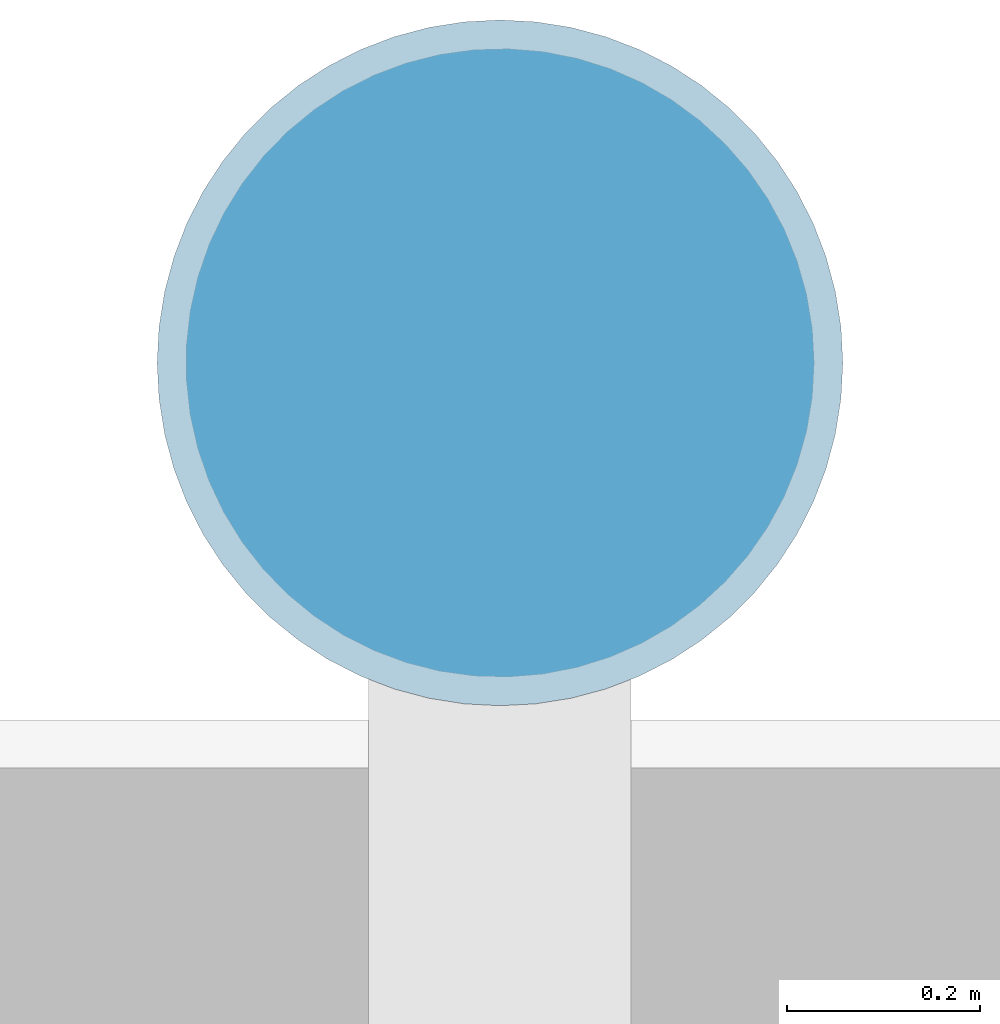
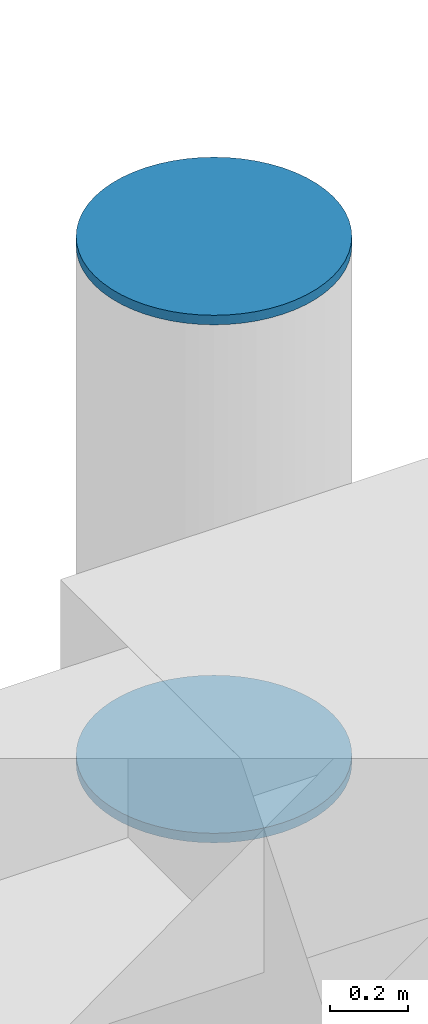
# One storey, part 30 of 35: 2 discrete accessories.
"""IFC4 building model written with IfcOpenShell, lengths in metres."""

from ifc_helpers import new_model, si_unit, direction, frame, origin, origin_2d, place, context, subcontext, project, spatial, circle, extrude, material, material_profile, profile_set, type_object, element, save


model = new_model("IFC4")

# Units and contexts
model_context = context("Model", 3, precision=1e-05, world=origin(), true_north=direction((0.0, 1.0)))
body_context = subcontext(model_context, "Body", "Model", "MODEL_VIEW")
ifc_project = project(units=[si_unit("LENGTHUNIT", "METRE"), si_unit("AREAUNIT", "SQUARE_METRE"), si_unit("VOLUMEUNIT", "CUBIC_METRE"), si_unit("PLANEANGLEUNIT", "RADIAN"), si_unit("MASSUNIT", "GRAM", prefix="KILO")], contexts=[model_context])

# Site, building, storey
site_placement = place(None, origin())
site = spatial("IfcSite", under=ifc_project, at=site_placement, CompositionType="ELEMENT")
building_placement = place(site_placement, origin())
building = spatial("IfcBuilding", under=site, at=building_placement, Name="Firuza Court", CompositionType="ELEMENT")
storey_placement = place(building_placement, frame((0.0, 0.0, 24.0)))
storey = spatial("IfcBuildingStorey", under=building, at=storey_placement, Name="L04", CompositionType="ELEMENT", Elevation=24.0)

# Discrete accessories
ifc_material = material(Name="Steel S355", Category="steel")
ifc_material_profile = material_profile(ifc_material, circle(Radius=0.35546875, at=origin_2d()), Name="PL D711")
ifc_profile_set = profile_set([ifc_material_profile], Name="Steel S355")
discrete_accessory_type = type_object("IfcDiscreteAccessoryType", Name="DIAGRID NODE END PLATE", PredefinedType="NOTDEFINED", material=ifc_profile_set)
discrete_accessory_1_placement = place(storey_placement, frame((54.0, 59.6201171875, 5.25), z_axis=(0.0, 0.0, 1.0), x_axis=(1.0, 0.0, 0.0)))
element("IfcDiscreteAccessory", 1, at=discrete_accessory_1_placement, inside=storey, type_object=discrete_accessory_type, Name="Diagrid node end plate level L04", PredefinedType="NOTDEFINED", context=body_context, shape_type="SweptSolid", body=[
    extrude(circle(Radius=0.35546875, at=origin_2d()), origin(), (0.0, 0.0, 1.0), 0.030029296875),
])
discrete_accessory_2_placement = place(storey_placement, frame((54.0, 59.6201171875, 3.6201171875), z_axis=(0.0, 0.0, 1.0), x_axis=(1.0, 0.0, 0.0)))
element("IfcDiscreteAccessory", 2, at=discrete_accessory_2_placement, inside=storey, type_object=discrete_accessory_type, Name="Diagrid node end plate level L04", PredefinedType="NOTDEFINED", context=body_context, shape_type="SweptSolid", body=[
    extrude(circle(Radius=0.35546875, at=origin_2d()), origin(), (0.0, 0.0, 1.0), 0.02978515625),
])

save(model, "model.ifc")
